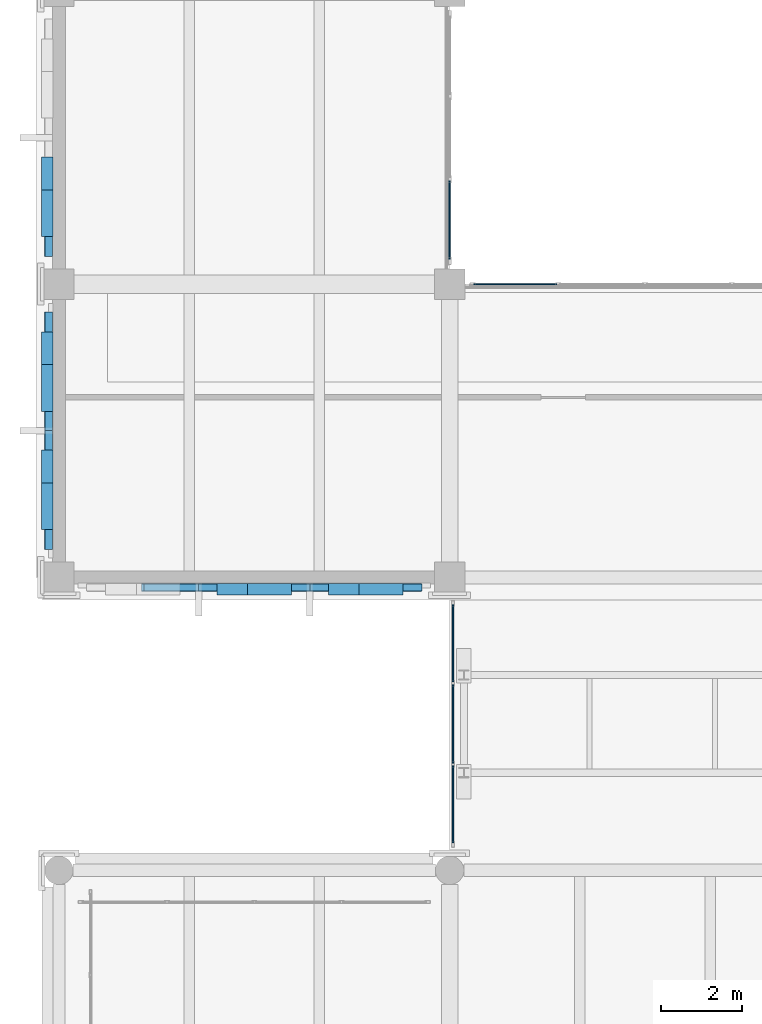
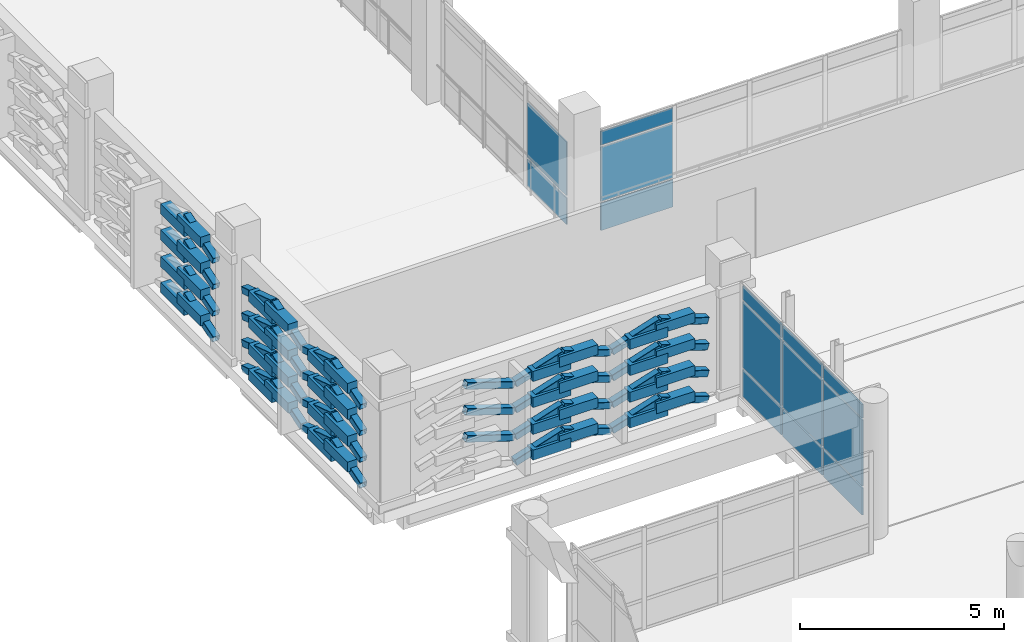
# One storey, part 129 of 180: 93 plates, 3 elements without a shape of their own.
"""IFC4 building model written with IfcOpenShell, lengths in metres."""

from ifc_helpers import new_model, si_unit, direction, frame, origin, origin_2d, place, context, subcontext, project, spatial, rectangle, hollow_rectangle, extrude, material, layer, layer_set, material_profile, profile_set, type_object, element, aggregate, save


model = new_model("IFC4")

# Units and contexts
model_context = context("Model", 3, precision=1e-05, world=origin(), true_north=direction((0.0, 1.0)))
body_context = subcontext(model_context, "Body", "Model", "MODEL_VIEW")
ifc_project = project(units=[si_unit("LENGTHUNIT", "METRE"), si_unit("AREAUNIT", "SQUARE_METRE"), si_unit("VOLUMEUNIT", "CUBIC_METRE"), si_unit("PLANEANGLEUNIT", "RADIAN"), si_unit("MASSUNIT", "GRAM", prefix="KILO")], contexts=[model_context])

# Site, building, storey
site_placement = place(None, origin())
site = spatial("IfcSite", under=ifc_project, at=site_placement, CompositionType="ELEMENT")
building_placement = place(site_placement, origin())
building = spatial("IfcBuilding", under=site, at=building_placement, Name="Asteropetra Specialist Clinic", CompositionType="ELEMENT")
storey_placement = place(building_placement, frame((0.0, 0.0, 4.419921875)))
storey = spatial("IfcBuildingStorey", under=building, at=storey_placement, Name="L01", CompositionType="ELEMENT", Elevation=4.419921875)

# Plates
ifc_material_1 = material(Name="Chevron emerald aluminium 6063-T6", Category="aluminium")
ifc_material_profile = material_profile(ifc_material_1, hollow_rectangle(XDim=0.199951171875, YDim=0.199951171875, WallThickness=0.010009765625, InnerFilletRadius=0.008056640625, OuterFilletRadius=0.01611328125, at=origin_2d()), Name="SHS 200x200x10.0")
ifc_profile_set = profile_set([ifc_material_profile], Name="Chevron emerald aluminium 6063-T6")
plate_type_1 = type_object("IfcPlateType", Name="CHV-RIB-200", PredefinedType="SHEET", material=ifc_profile_set)
for number, where, z_axis, x_axis, name in (
    (1, (2.063232421875, 69.347900390625, 1.25146484375), (0.95244216645, 0.0, -0.304719411211), (0.0, 1.0, 0.0), "Chevron Facade Screen Fin CVR-0366"),
    (2, (2.063232421875, 69.347900390625, 2.051513671875), (0.95244216645, 0.0, -0.304719411211), (0.0, 1.0, 0.0), "Chevron Facade Screen Fin CVR-0368"),
    (3, (2.063232421875, 69.347900390625, 2.83154296875), (0.95244216645, 0.0, -0.304719411211), (0.0, 1.0, 0.0), "Chevron Facade Screen Fin CVR-0370"),
    (4, (3.45166015625, 69.347900390625, 0.050048828125), (0.95244216645, 0.0, 0.304719411211), (0.0, 1.0, 0.0), "Chevron Facade Screen Fin CVR-0371"),
):
    element("IfcPlate", number, at=place(storey_placement, frame(where, z_axis=z_axis, x_axis=x_axis)), inside=storey, type_object=plate_type_1, Name=name, PredefinedType="SHEET", context=body_context, shape_type="SweptSolid", body=[
        extrude(hollow_rectangle(XDim=0.199951171875, YDim=0.199951171875, WallThickness=0.010009765625, InnerFilletRadius=0.008056640625, OuterFilletRadius=0.01611328125, at=origin_2d()), origin(), (0.0, 0.0, 1.0), 1.415771484375),
    ])
plate_1_placement = place(storey_placement, frame((4.800048828125, 69.347900390625, 0.4814453125), z_axis=(0.952426149832, 0.0, -0.304769468807), x_axis=(0.0, 1.0, 0.0)))
element("IfcPlate", 5, at=plate_1_placement, inside=storey, type_object=plate_type_1, Name="Chevron Facade Screen Fin CVR-0372", PredefinedType="SHEET", context=body_context, shape_type="SweptSolid", body=[
    extrude(hollow_rectangle(XDim=0.199951171875, YDim=0.199951171875, WallThickness=0.010009765625, InnerFilletRadius=0.008056640625, OuterFilletRadius=0.01611328125, at=origin_2d()), origin(), (0.0, 0.0, 1.0), 1.41552734375),
])
plate_2_placement = place(storey_placement, frame((3.45166015625, 69.347900390625, 0.820068359375), z_axis=(0.95244216645, 0.0, 0.304719411211), x_axis=(0.0, 1.0, 0.0)))
element("IfcPlate", 6, at=plate_2_placement, inside=storey, type_object=plate_type_1, Name="Chevron Facade Screen Fin CVR-0373", PredefinedType="SHEET", context=body_context, shape_type="SweptSolid", body=[
    extrude(hollow_rectangle(XDim=0.199951171875, YDim=0.199951171875, WallThickness=0.010009765625, InnerFilletRadius=0.008056640625, OuterFilletRadius=0.01611328125, at=origin_2d()), origin(), (0.0, 0.0, 1.0), 1.415771484375),
])
plate_3_placement = place(storey_placement, frame((4.800048828125, 69.347900390625, 1.25146484375), z_axis=(0.952426149832, 0.0, -0.304769468807), x_axis=(0.0, 1.0, 0.0)))
element("IfcPlate", 7, at=plate_3_placement, inside=storey, type_object=plate_type_1, Name="Chevron Facade Screen Fin CVR-0374", PredefinedType="SHEET", context=body_context, shape_type="SweptSolid", body=[
    extrude(hollow_rectangle(XDim=0.199951171875, YDim=0.199951171875, WallThickness=0.010009765625, InnerFilletRadius=0.008056640625, OuterFilletRadius=0.01611328125, at=origin_2d()), origin(), (0.0, 0.0, 1.0), 1.41552734375),
])
plate_4_placement = place(storey_placement, frame((3.45166015625, 69.347900390625, 1.6201171875), z_axis=(0.95244216645, 0.0, 0.304719411211), x_axis=(0.0, 1.0, 0.0)))
element("IfcPlate", 8, at=plate_4_placement, inside=storey, type_object=plate_type_1, Name="Chevron Facade Screen Fin CVR-0375", PredefinedType="SHEET", context=body_context, shape_type="SweptSolid", body=[
    extrude(hollow_rectangle(XDim=0.199951171875, YDim=0.199951171875, WallThickness=0.010009765625, InnerFilletRadius=0.008056640625, OuterFilletRadius=0.01611328125, at=origin_2d()), origin(), (0.0, 0.0, 1.0), 1.415771484375),
])
plate_5_placement = place(storey_placement, frame((4.800048828125, 69.347900390625, 2.051513671875), z_axis=(0.952426149832, 0.0, -0.304769468807), x_axis=(0.0, 1.0, 0.0)))
element("IfcPlate", 9, at=plate_5_placement, inside=storey, type_object=plate_type_1, Name="Chevron Facade Screen Fin CVR-0376", PredefinedType="SHEET", context=body_context, shape_type="SweptSolid", body=[
    extrude(hollow_rectangle(XDim=0.199951171875, YDim=0.199951171875, WallThickness=0.010009765625, InnerFilletRadius=0.008056640625, OuterFilletRadius=0.01611328125, at=origin_2d()), origin(), (0.0, 0.0, 1.0), 1.41552734375),
])
plate_6_placement = place(storey_placement, frame((3.45166015625, 69.347900390625, 2.400146484375), z_axis=(0.95244216645, 0.0, 0.304719411211), x_axis=(0.0, 1.0, 0.0)))
element("IfcPlate", 10, at=plate_6_placement, inside=storey, type_object=plate_type_1, Name="Chevron Facade Screen Fin CVR-0377", PredefinedType="SHEET", context=body_context, shape_type="SweptSolid", body=[
    extrude(hollow_rectangle(XDim=0.199951171875, YDim=0.199951171875, WallThickness=0.010009765625, InnerFilletRadius=0.008056640625, OuterFilletRadius=0.01611328125, at=origin_2d()), origin(), (0.0, 0.0, 1.0), 1.415771484375),
])
plate_7_placement = place(storey_placement, frame((4.800048828125, 69.347900390625, 2.83154296875), z_axis=(0.952426149832, 0.0, -0.304769468807), x_axis=(0.0, 1.0, 0.0)))
element("IfcPlate", 11, at=plate_7_placement, inside=storey, type_object=plate_type_1, Name="Chevron Facade Screen Fin CVR-0378", PredefinedType="SHEET", context=body_context, shape_type="SweptSolid", body=[
    extrude(hollow_rectangle(XDim=0.199951171875, YDim=0.199951171875, WallThickness=0.010009765625, InnerFilletRadius=0.008056640625, OuterFilletRadius=0.01611328125, at=origin_2d()), origin(), (0.0, 0.0, 1.0), 1.41552734375),
])
for number, where, z_axis, x_axis, name in (
    (12, (6.188232421875, 69.347900390625, 0.050048828125), (0.95244216645, 0.0, 0.304719411211), (0.0, 1.0, 0.0), "Chevron Facade Screen Fin CVR-0379"),
    (13, (7.53662109375, 69.347900390625, 0.4814453125), (0.95244216645, 0.0, -0.304719411211), (0.0, 1.0, 0.0), "Chevron Facade Screen Fin CVR-0380"),
    (14, (6.188232421875, 69.347900390625, 0.820068359375), (0.95244216645, 0.0, 0.304719411211), (0.0, 1.0, 0.0), "Chevron Facade Screen Fin CVR-0381"),
    (15, (7.53662109375, 69.347900390625, 1.25146484375), (0.95244216645, 0.0, -0.304719411211), (0.0, 1.0, 0.0), "Chevron Facade Screen Fin CVR-0382"),
    (16, (6.188232421875, 69.347900390625, 1.6201171875), (0.95244216645, 0.0, 0.304719411211), (0.0, 1.0, 0.0), "Chevron Facade Screen Fin CVR-0383"),
    (17, (7.53662109375, 69.347900390625, 2.051513671875), (0.95244216645, 0.0, -0.304719411211), (0.0, 1.0, 0.0), "Chevron Facade Screen Fin CVR-0384"),
    (18, (6.188232421875, 69.347900390625, 2.400146484375), (0.95244216645, 0.0, 0.304719411211), (0.0, 1.0, 0.0), "Chevron Facade Screen Fin CVR-0385"),
    (19, (7.53662109375, 69.347900390625, 2.83154296875), (0.95244216645, 0.0, -0.304719411211), (0.0, 1.0, 0.0), "Chevron Facade Screen Fin CVR-0386"),
):
    element("IfcPlate", number, at=place(storey_placement, frame(where, z_axis=z_axis, x_axis=x_axis)), inside=storey, type_object=plate_type_1, Name=name, PredefinedType="SHEET", context=body_context, shape_type="SweptSolid", body=[
        extrude(hollow_rectangle(XDim=0.199951171875, YDim=0.199951171875, WallThickness=0.010009765625, InnerFilletRadius=0.008056640625, OuterFilletRadius=0.01611328125, at=origin_2d()), origin(), (0.0, 0.0, 1.0), 1.415771484375),
    ])
plate_8_placement = place(storey_placement, frame((-0.251953125, 76.0849609375, 0.050048828125), z_axis=(0.0, -0.952491984317, 0.304563654777), x_axis=(1.0, 0.0, 0.0)))
element("IfcPlate", 20, at=plate_8_placement, inside=storey, type_object=plate_type_1, Name="Chevron Facade Screen Fin CVR-0667", PredefinedType="SHEET", context=body_context, shape_type="SweptSolid", body=[
    extrude(hollow_rectangle(XDim=0.199951171875, YDim=0.199951171875, WallThickness=0.010009765625, InnerFilletRadius=0.008056640625, OuterFilletRadius=0.01611328125, at=origin_2d()), origin(), (0.0, 0.0, 1.0), 1.50390625),
])
plate_9_placement = place(storey_placement, frame((-0.251953125, 74.652587890625, 0.508056640625), z_axis=(0.0, -0.952507040007, -0.304516565619), x_axis=(1.0, 0.0, 0.0)))
element("IfcPlate", 21, at=plate_9_placement, inside=storey, type_object=plate_type_1, Name="Chevron Facade Screen Fin CVR-0668", PredefinedType="SHEET", context=body_context, shape_type="SweptSolid", body=[
    extrude(hollow_rectangle(XDim=0.199951171875, YDim=0.199951171875, WallThickness=0.010009765625, InnerFilletRadius=0.008056640625, OuterFilletRadius=0.01611328125, at=origin_2d()), origin(), (0.0, 0.0, 1.0), 1.504150390625),
])
plate_10_placement = place(storey_placement, frame((-0.251953125, 76.0849609375, 0.820068359375), z_axis=(0.0, -0.952491984317, 0.304563654777), x_axis=(1.0, 0.0, 0.0)))
element("IfcPlate", 22, at=plate_10_placement, inside=storey, type_object=plate_type_1, Name="Chevron Facade Screen Fin CVR-0669", PredefinedType="SHEET", context=body_context, shape_type="SweptSolid", body=[
    extrude(hollow_rectangle(XDim=0.199951171875, YDim=0.199951171875, WallThickness=0.010009765625, InnerFilletRadius=0.008056640625, OuterFilletRadius=0.01611328125, at=origin_2d()), origin(), (0.0, 0.0, 1.0), 1.50390625),
])
plate_11_placement = place(storey_placement, frame((-0.251953125, 74.652587890625, 1.278076171875), z_axis=(0.0, -0.952507040007, -0.304516565619), x_axis=(1.0, 0.0, 0.0)))
element("IfcPlate", 23, at=plate_11_placement, inside=storey, type_object=plate_type_1, Name="Chevron Facade Screen Fin CVR-0670", PredefinedType="SHEET", context=body_context, shape_type="SweptSolid", body=[
    extrude(hollow_rectangle(XDim=0.199951171875, YDim=0.199951171875, WallThickness=0.010009765625, InnerFilletRadius=0.008056640625, OuterFilletRadius=0.01611328125, at=origin_2d()), origin(), (0.0, 0.0, 1.0), 1.504150390625),
])
plate_12_placement = place(storey_placement, frame((-0.251953125, 76.0849609375, 1.6201171875), z_axis=(0.0, -0.952491984317, 0.304563654777), x_axis=(1.0, 0.0, 0.0)))
element("IfcPlate", 24, at=plate_12_placement, inside=storey, type_object=plate_type_1, Name="Chevron Facade Screen Fin CVR-0671", PredefinedType="SHEET", context=body_context, shape_type="SweptSolid", body=[
    extrude(hollow_rectangle(XDim=0.199951171875, YDim=0.199951171875, WallThickness=0.010009765625, InnerFilletRadius=0.008056640625, OuterFilletRadius=0.01611328125, at=origin_2d()), origin(), (0.0, 0.0, 1.0), 1.50390625),
])
plate_13_placement = place(storey_placement, frame((-0.251953125, 74.652587890625, 2.078125), z_axis=(0.0, -0.952507040007, -0.304516565619), x_axis=(1.0, 0.0, 0.0)))
element("IfcPlate", 25, at=plate_13_placement, inside=storey, type_object=plate_type_1, Name="Chevron Facade Screen Fin CVR-0672", PredefinedType="SHEET", context=body_context, shape_type="SweptSolid", body=[
    extrude(hollow_rectangle(XDim=0.199951171875, YDim=0.199951171875, WallThickness=0.010009765625, InnerFilletRadius=0.008056640625, OuterFilletRadius=0.01611328125, at=origin_2d()), origin(), (0.0, 0.0, 1.0), 1.504150390625),
])
plate_14_placement = place(storey_placement, frame((-0.251953125, 76.0849609375, 2.400146484375), z_axis=(0.0, -0.952491984317, 0.304563654777), x_axis=(1.0, 0.0, 0.0)))
element("IfcPlate", 26, at=plate_14_placement, inside=storey, type_object=plate_type_1, Name="Chevron Facade Screen Fin CVR-0673", PredefinedType="SHEET", context=body_context, shape_type="SweptSolid", body=[
    extrude(hollow_rectangle(XDim=0.199951171875, YDim=0.199951171875, WallThickness=0.010009765625, InnerFilletRadius=0.008056640625, OuterFilletRadius=0.01611328125, at=origin_2d()), origin(), (0.0, 0.0, 1.0), 1.50390625),
])
plate_15_placement = place(storey_placement, frame((-0.251953125, 74.652587890625, 2.858154296875), z_axis=(0.0, -0.952507040007, -0.304516565619), x_axis=(1.0, 0.0, 0.0)))
element("IfcPlate", 27, at=plate_15_placement, inside=storey, type_object=plate_type_1, Name="Chevron Facade Screen Fin CVR-0674", PredefinedType="SHEET", context=body_context, shape_type="SweptSolid", body=[
    extrude(hollow_rectangle(XDim=0.199951171875, YDim=0.199951171875, WallThickness=0.010009765625, InnerFilletRadius=0.008056640625, OuterFilletRadius=0.01611328125, at=origin_2d()), origin(), (0.0, 0.0, 1.0), 1.504150390625),
])
plate_16_placement = place(storey_placement, frame((-0.251953125, 73.179931640625, 0.050048828125), z_axis=(0.0, -0.952491984317, 0.304563654777), x_axis=(1.0, 0.0, 0.0)))
element("IfcPlate", 28, at=plate_16_placement, inside=storey, type_object=plate_type_1, Name="Chevron Facade Screen Fin CVR-0675", PredefinedType="SHEET", context=body_context, shape_type="SweptSolid", body=[
    extrude(hollow_rectangle(XDim=0.199951171875, YDim=0.199951171875, WallThickness=0.010009765625, InnerFilletRadius=0.008056640625, OuterFilletRadius=0.01611328125, at=origin_2d()), origin(), (0.0, 0.0, 1.0), 1.50390625),
])
plate_17_placement = place(storey_placement, frame((-0.251953125, 71.74755859375, 0.508056640625), z_axis=(0.0, -0.952507040007, -0.304516565619), x_axis=(1.0, 0.0, 0.0)))
element("IfcPlate", 29, at=plate_17_placement, inside=storey, type_object=plate_type_1, Name="Chevron Facade Screen Fin CVR-0676", PredefinedType="SHEET", context=body_context, shape_type="SweptSolid", body=[
    extrude(hollow_rectangle(XDim=0.199951171875, YDim=0.199951171875, WallThickness=0.010009765625, InnerFilletRadius=0.008056640625, OuterFilletRadius=0.01611328125, at=origin_2d()), origin(), (0.0, 0.0, 1.0), 1.504150390625),
])
plate_18_placement = place(storey_placement, frame((-0.251953125, 73.179931640625, 0.820068359375), z_axis=(0.0, -0.952491984317, 0.304563654777), x_axis=(1.0, 0.0, 0.0)))
element("IfcPlate", 30, at=plate_18_placement, inside=storey, type_object=plate_type_1, Name="Chevron Facade Screen Fin CVR-0677", PredefinedType="SHEET", context=body_context, shape_type="SweptSolid", body=[
    extrude(hollow_rectangle(XDim=0.199951171875, YDim=0.199951171875, WallThickness=0.010009765625, InnerFilletRadius=0.008056640625, OuterFilletRadius=0.01611328125, at=origin_2d()), origin(), (0.0, 0.0, 1.0), 1.50390625),
])
plate_19_placement = place(storey_placement, frame((-0.251953125, 71.74755859375, 1.278076171875), z_axis=(0.0, -0.952507040007, -0.304516565619), x_axis=(1.0, 0.0, 0.0)))
element("IfcPlate", 31, at=plate_19_placement, inside=storey, type_object=plate_type_1, Name="Chevron Facade Screen Fin CVR-0678", PredefinedType="SHEET", context=body_context, shape_type="SweptSolid", body=[
    extrude(hollow_rectangle(XDim=0.199951171875, YDim=0.199951171875, WallThickness=0.010009765625, InnerFilletRadius=0.008056640625, OuterFilletRadius=0.01611328125, at=origin_2d()), origin(), (0.0, 0.0, 1.0), 1.504150390625),
])
plate_20_placement = place(storey_placement, frame((-0.251953125, 73.179931640625, 1.6201171875), z_axis=(0.0, -0.952491984317, 0.304563654777), x_axis=(1.0, 0.0, 0.0)))
element("IfcPlate", 32, at=plate_20_placement, inside=storey, type_object=plate_type_1, Name="Chevron Facade Screen Fin CVR-0679", PredefinedType="SHEET", context=body_context, shape_type="SweptSolid", body=[
    extrude(hollow_rectangle(XDim=0.199951171875, YDim=0.199951171875, WallThickness=0.010009765625, InnerFilletRadius=0.008056640625, OuterFilletRadius=0.01611328125, at=origin_2d()), origin(), (0.0, 0.0, 1.0), 1.50390625),
])
plate_21_placement = place(storey_placement, frame((-0.251953125, 71.74755859375, 2.078125), z_axis=(0.0, -0.952507040007, -0.304516565619), x_axis=(1.0, 0.0, 0.0)))
element("IfcPlate", 33, at=plate_21_placement, inside=storey, type_object=plate_type_1, Name="Chevron Facade Screen Fin CVR-0680", PredefinedType="SHEET", context=body_context, shape_type="SweptSolid", body=[
    extrude(hollow_rectangle(XDim=0.199951171875, YDim=0.199951171875, WallThickness=0.010009765625, InnerFilletRadius=0.008056640625, OuterFilletRadius=0.01611328125, at=origin_2d()), origin(), (0.0, 0.0, 1.0), 1.504150390625),
])
plate_22_placement = place(storey_placement, frame((-0.251953125, 73.179931640625, 2.400146484375), z_axis=(0.0, -0.952491984317, 0.304563654777), x_axis=(1.0, 0.0, 0.0)))
element("IfcPlate", 34, at=plate_22_placement, inside=storey, type_object=plate_type_1, Name="Chevron Facade Screen Fin CVR-0681", PredefinedType="SHEET", context=body_context, shape_type="SweptSolid", body=[
    extrude(hollow_rectangle(XDim=0.199951171875, YDim=0.199951171875, WallThickness=0.010009765625, InnerFilletRadius=0.008056640625, OuterFilletRadius=0.01611328125, at=origin_2d()), origin(), (0.0, 0.0, 1.0), 1.50390625),
])
for number, where, z_axis, x_axis, name in (
    (35, (-0.251953125, 71.74755859375, 2.858154296875), (0.0, -0.952507040007, -0.304516565619), (1.0, 0.0, 0.0), "Chevron Facade Screen Fin CVR-0682"),
    (36, (-0.251953125, 78.947509765625, 0.508056640625), (0.0, -0.952507040007, -0.304516565619), (1.0, 0.0, 0.0), "Chevron Facade Screen Fin CVR-0708"),
    (37, (-0.251953125, 78.947509765625, 1.278076171875), (0.0, -0.952507040007, -0.304516565619), (1.0, 0.0, 0.0), "Chevron Facade Screen Fin CVR-0710"),
    (38, (-0.251953125, 78.947509765625, 2.078125), (0.0, -0.952507040007, -0.304516565619), (1.0, 0.0, 0.0), "Chevron Facade Screen Fin CVR-0712"),
    (39, (-0.251953125, 78.947509765625, 2.858154296875), (0.0, -0.952507040007, -0.304516565619), (1.0, 0.0, 0.0), "Chevron Facade Screen Fin CVR-0714"),
):
    element("IfcPlate", number, at=place(storey_placement, frame(where, z_axis=z_axis, x_axis=x_axis)), inside=storey, type_object=plate_type_1, Name=name, PredefinedType="SHEET", context=body_context, shape_type="SweptSolid", body=[
        extrude(hollow_rectangle(XDim=0.199951171875, YDim=0.199951171875, WallThickness=0.010009765625, InnerFilletRadius=0.008056640625, OuterFilletRadius=0.01611328125, at=origin_2d()), origin(), (0.0, 0.0, 1.0), 1.504150390625),
    ])

# Curtain wall, plates
ifc_material_2 = material(Name="Aluminium and low-E glass", Category="aluminium")
ifc_layer_1 = layer(ifc_material_2, 0.14990234375)
ifc_layer_set_1 = layer_set([ifc_layer_1], Name="Aluminium and low-E glass")
curtain_wall_type_1 = type_object("IfcCurtainWallType", Name="CW-SYS-02", PredefinedType="USERDEFINED", material=ifc_layer_set_1)
curtain_wall_1_placement = place(storey_placement, origin())
curtain_wall_1 = element("IfcCurtainWall", 40, at=curtain_wall_1_placement, inside=storey, type_object=curtain_wall_type_1, Name="Curtain Wall CW-017", ObjectType="UNITISED CURTAIN WALL", PredefinedType="USERDEFINED")
ifc_material_3 = material(Name="Low-E acoustic double glazing", Category="glass")
ifc_layer_2 = layer(ifc_material_3, 0.031982421875)
ifc_layer_set_2 = layer_set([ifc_layer_2], Name="Low-E acoustic double glazing")
plate_type_2 = type_object("IfcPlateType", Name="CWP-GLZ-32", PredefinedType="CURTAIN_PANEL", material=ifc_layer_set_2)
plate_23_placement = place(storey_placement, frame((11.21630859375, 76.800048828125, 0.06005859375), z_axis=(0.0, 0.0, 1.0), x_axis=(1.0, 0.0, 0.0)))
plate_23 = element("IfcPlate", 41, at=plate_23_placement, type_object=plate_type_2, Name="CW-017 panel 1.1", PredefinedType="CURTAIN_PANEL", context=body_context, shape_type="SweptSolid", body=[
    extrude(rectangle(XDim=2.04248046875, YDim=0.031982421875, at=origin_2d()), origin(), (0.0, 0.0, 1.0), 0.81005859375),
])
plate_24_placement = place(storey_placement, frame((11.21630859375, 76.800048828125, 0.929931640625), z_axis=(0.0, 0.0, 1.0), x_axis=(1.0, 0.0, 0.0)))
plate_24 = element("IfcPlate", 42, at=plate_24_placement, type_object=plate_type_2, Name="CW-017 panel 1.2", PredefinedType="CURTAIN_PANEL", context=body_context, shape_type="SweptSolid", body=[
    extrude(rectangle(XDim=2.04248046875, YDim=0.031982421875, at=origin_2d()), origin(), (0.0, 0.0, 1.0), 1.6201171875),
])
plate_25_placement = place(storey_placement, frame((11.21630859375, 76.800048828125, 2.6103515625), z_axis=(0.0, 0.0, 1.0), x_axis=(1.0, 0.0, 0.0)))
plate_25 = element("IfcPlate", 43, at=plate_25_placement, type_object=plate_type_2, Name="CW-017 panel 1.3", PredefinedType="CURTAIN_PANEL", context=body_context, shape_type="SweptSolid", body=[
    extrude(rectangle(XDim=2.04248046875, YDim=0.031982421875, at=origin_2d()), origin(), (0.0, 0.0, 1.0), 0.409912109375),
])
aggregate(curtain_wall_1, [plate_23, plate_24, plate_25])

ifc_material_4 = material(Name="Aluminium and low-E glass", Category="aluminium")
ifc_layer_3 = layer(ifc_material_4, 0.179931640625)
ifc_layer_set_3 = layer_set([ifc_layer_3], Name="Aluminium and low-E glass")
curtain_wall_type_2 = type_object("IfcCurtainWallType", Name="CW-SYS-04", PredefinedType="USERDEFINED", material=ifc_layer_set_3)
curtain_wall_2_placement = place(storey_placement, origin())
curtain_wall_2 = element("IfcCurtainWall", 44, at=curtain_wall_2_placement, inside=storey, type_object=curtain_wall_type_2, Name="Curtain Wall CW-021", ObjectType="UNITISED CURTAIN WALL", PredefinedType="USERDEFINED")
plate_26_placement = place(storey_placement, frame((9.60009765625, 78.37548828125, 0.074951171875), z_axis=(0.0, 0.0, 1.0), x_axis=(0.0, -1.0, 0.0)))
plate_26 = element("IfcPlate", 45, at=plate_26_placement, type_object=plate_type_2, Name="CW-021 panel 3.1", PredefinedType="CURTAIN_PANEL", context=body_context, shape_type="SweptSolid", body=[
    extrude(rectangle(XDim=1.930908203125, YDim=0.031982421875, at=origin_2d()), origin(), (0.0, 0.0, 1.0), 0.78759765625),
])
plate_27_placement = place(storey_placement, frame((9.60009765625, 78.37548828125, 0.9375), z_axis=(0.0, 0.0, 1.0), x_axis=(0.0, -1.0, 0.0)))
plate_27 = element("IfcPlate", 46, at=plate_27_placement, type_object=plate_type_2, Name="CW-021 panel 3.2", PredefinedType="CURTAIN_PANEL", context=body_context, shape_type="SweptSolid", body=[
    extrude(rectangle(XDim=1.930908203125, YDim=0.031982421875, at=origin_2d()), origin(), (0.0, 0.0, 1.0), 1.60498046875),
])
aggregate(curtain_wall_2, [plate_26, plate_27])

ifc_material_5 = material(Name="Aluminium and low-E glass", Category="aluminium")
ifc_layer_4 = layer(ifc_material_5, 0.14990234375)
ifc_layer_set_4 = layer_set([ifc_layer_4], Name="Aluminium and low-E glass")
curtain_wall_type_3 = type_object("IfcCurtainWallType", Name="CW-SYS-08", PredefinedType="USERDEFINED", material=ifc_layer_set_4)
curtain_wall_3_placement = place(storey_placement, origin())
curtain_wall_3 = element("IfcCurtainWall", 47, at=curtain_wall_3_placement, inside=storey, type_object=curtain_wall_type_3, Name="Curtain Wall CW-103", ObjectType="STICK GLAZED COLONNADE", PredefinedType="USERDEFINED")
ifc_material_6 = material(Name="Laminated skylight glazing", Category="glass")
ifc_layer_5 = layer(ifc_material_6, 0.0400390625)
ifc_layer_set_5 = layer_set([ifc_layer_5], Name="Laminated skylight glazing")
plate_type_3 = type_object("IfcPlateType", Name="CWP-GLZ-40", PredefinedType="CURTAIN_PANEL", material=ifc_layer_set_5)
plate_28_placement = place(storey_placement, frame((9.679931640625, 64.02294921875, 0.06494140625), z_axis=(0.0, 0.0, 1.0), x_axis=(0.0, 1.0, 0.0)))
plate_28 = element("IfcPlate", 48, at=plate_28_placement, type_object=plate_type_3, Name="CW-103 panel 1.1", PredefinedType="CURTAIN_PANEL", context=body_context, shape_type="SweptSolid", body=[
    extrude(rectangle(XDim=1.895751953125, YDim=0.0400390625, at=origin_2d()), origin(), (0.0, 0.0, 1.0), 0.802490234375),
])
plate_29_placement = place(storey_placement, frame((9.679931640625, 64.02294921875, 0.9326171875), z_axis=(0.0, 0.0, 1.0), x_axis=(0.0, 1.0, 0.0)))
plate_29 = element("IfcPlate", 49, at=plate_29_placement, type_object=plate_type_3, Name="CW-103 panel 1.2", PredefinedType="CURTAIN_PANEL", context=body_context, shape_type="SweptSolid", body=[
    extrude(rectangle(XDim=1.895751953125, YDim=0.0400390625, at=origin_2d()), origin(), (0.0, 0.0, 1.0), 1.965087890625),
])
plate_30_placement = place(storey_placement, frame((9.679931640625, 64.02294921875, 2.96240234375), z_axis=(0.0, 0.0, 1.0), x_axis=(0.0, 1.0, 0.0)))
plate_30 = element("IfcPlate", 50, at=plate_30_placement, type_object=plate_type_3, Name="CW-103 panel 1.3", PredefinedType="CURTAIN_PANEL", context=body_context, shape_type="SweptSolid", body=[
    extrude(rectangle(XDim=1.895751953125, YDim=0.0400390625, at=origin_2d()), origin(), (0.0, 0.0, 1.0), 0.402587890625),
])
plate_31_placement = place(storey_placement, frame((9.679931640625, 66.0, 0.06494140625), z_axis=(0.0, 0.0, 1.0), x_axis=(0.0, 1.0, 0.0)))
plate_31 = element("IfcPlate", 51, at=plate_31_placement, type_object=plate_type_3, Name="CW-103 panel 2.1", PredefinedType="CURTAIN_PANEL", context=body_context, shape_type="SweptSolid", body=[
    extrude(rectangle(XDim=1.92822265625, YDim=0.0400390625, at=origin_2d()), origin(), (0.0, 0.0, 1.0), 0.802490234375),
])
plate_32_placement = place(storey_placement, frame((9.679931640625, 66.0, 0.9326171875), z_axis=(0.0, 0.0, 1.0), x_axis=(0.0, 1.0, 0.0)))
plate_32 = element("IfcPlate", 52, at=plate_32_placement, type_object=plate_type_3, Name="CW-103 panel 2.2", PredefinedType="CURTAIN_PANEL", context=body_context, shape_type="SweptSolid", body=[
    extrude(rectangle(XDim=1.92822265625, YDim=0.0400390625, at=origin_2d()), origin(), (0.0, 0.0, 1.0), 1.965087890625),
])
plate_33_placement = place(storey_placement, frame((9.679931640625, 66.0, 2.96240234375), z_axis=(0.0, 0.0, 1.0), x_axis=(0.0, 1.0, 0.0)))
plate_33 = element("IfcPlate", 53, at=plate_33_placement, type_object=plate_type_3, Name="CW-103 panel 2.3", PredefinedType="CURTAIN_PANEL", context=body_context, shape_type="SweptSolid", body=[
    extrude(rectangle(XDim=1.92822265625, YDim=0.0400390625, at=origin_2d()), origin(), (0.0, 0.0, 1.0), 0.402587890625),
])
plate_34_placement = place(storey_placement, frame((9.679931640625, 67.97705078125, 0.06494140625), z_axis=(0.0, 0.0, 1.0), x_axis=(0.0, 1.0, 0.0)))
plate_34 = element("IfcPlate", 54, at=plate_34_placement, type_object=plate_type_3, Name="CW-103 panel 3.1", PredefinedType="CURTAIN_PANEL", context=body_context, shape_type="SweptSolid", body=[
    extrude(rectangle(XDim=1.895751953125, YDim=0.0400390625, at=origin_2d()), origin(), (0.0, 0.0, 1.0), 0.802490234375),
])
plate_35_placement = place(storey_placement, frame((9.679931640625, 67.97705078125, 0.9326171875), z_axis=(0.0, 0.0, 1.0), x_axis=(0.0, 1.0, 0.0)))
plate_35 = element("IfcPlate", 55, at=plate_35_placement, type_object=plate_type_3, Name="CW-103 panel 3.2", PredefinedType="CURTAIN_PANEL", context=body_context, shape_type="SweptSolid", body=[
    extrude(rectangle(XDim=1.895751953125, YDim=0.0400390625, at=origin_2d()), origin(), (0.0, 0.0, 1.0), 1.965087890625),
])
plate_36_placement = place(storey_placement, frame((9.679931640625, 67.97705078125, 2.96240234375), z_axis=(0.0, 0.0, 1.0), x_axis=(0.0, 1.0, 0.0)))
plate_36 = element("IfcPlate", 56, at=plate_36_placement, type_object=plate_type_3, Name="CW-103 panel 3.3", PredefinedType="CURTAIN_PANEL", context=body_context, shape_type="SweptSolid", body=[
    extrude(rectangle(XDim=1.895751953125, YDim=0.0400390625, at=origin_2d()), origin(), (0.0, 0.0, 1.0), 0.402587890625),
])
aggregate(curtain_wall_3, [plate_28, plate_29, plate_30, plate_31, plate_32, plate_33, plate_34, plate_35, plate_36])

# Plates
ifc_material_7 = material(Name="Aluminium 6063-T6", Category="aluminium")
ifc_layer_6 = layer(ifc_material_7, 0.139892578125)
ifc_layer_set_6 = layer_set([ifc_layer_6], Name="Aluminium 6063-T6")
plate_type_4 = type_object("IfcPlateType", Name="PLT-CHV-TILE", PredefinedType="SHEET", material=ifc_layer_set_6)
for number, where, z_axis, x_axis, name in (
    (57, (4.422607421875, 69.31005859375, 0.029296875), (0.0, 0.0, 1.0), (1.0, 0.0, 0.0), "Chevron Ceramic Panel CPT-0009"),
    (58, (5.177490234375, 69.31005859375, 0.193359375), (0.0, 0.0, 1.0), (1.0, 0.0, 0.0), "Chevron Ceramic Panel CPT-0010"),
    (59, (4.422607421875, 69.31005859375, 0.79931640625), (0.0, 0.0, 1.0), (1.0, 0.0, 0.0), "Chevron Ceramic Panel CPT-0011"),
    (60, (5.177490234375, 69.31005859375, 0.96337890625), (0.0, 0.0, 1.0), (1.0, 0.0, 0.0), "Chevron Ceramic Panel CPT-0012"),
    (61, (4.422607421875, 69.31005859375, 1.599609375), (0.0, 0.0, 1.0), (1.0, 0.0, 0.0), "Chevron Ceramic Panel CPT-0013"),
    (62, (5.177490234375, 69.31005859375, 1.763671875), (0.0, 0.0, 1.0), (1.0, 0.0, 0.0), "Chevron Ceramic Panel CPT-0014"),
    (63, (4.422607421875, 69.31005859375, 2.37939453125), (0.0, 0.0, 1.0), (1.0, 0.0, 0.0), "Chevron Ceramic Panel CPT-0015"),
    (64, (5.177490234375, 69.31005859375, 2.54345703125), (0.0, 0.0, 1.0), (1.0, 0.0, 0.0), "Chevron Ceramic Panel CPT-0016"),
    (65, (7.1591796875, 69.31005859375, 0.029296875), (0.0, 0.0, 1.0), (1.0, 0.0, 0.0), "Chevron Ceramic Panel CPT-0017"),
    (66, (7.914306640625, 69.31005859375, 0.193359375), (0.0, 0.0, 1.0), (1.0, 0.0, 0.0), "Chevron Ceramic Panel CPT-0018"),
    (67, (7.1591796875, 69.31005859375, 0.79931640625), (0.0, 0.0, 1.0), (1.0, 0.0, 0.0), "Chevron Ceramic Panel CPT-0019"),
    (68, (7.914306640625, 69.31005859375, 0.96337890625), (0.0, 0.0, 1.0), (1.0, 0.0, 0.0), "Chevron Ceramic Panel CPT-0020"),
    (69, (7.1591796875, 69.31005859375, 1.599609375), (0.0, 0.0, 1.0), (1.0, 0.0, 0.0), "Chevron Ceramic Panel CPT-0021"),
    (70, (7.914306640625, 69.31005859375, 1.763671875), (0.0, 0.0, 1.0), (1.0, 0.0, 0.0), "Chevron Ceramic Panel CPT-0022"),
    (71, (7.1591796875, 69.31005859375, 2.37939453125), (0.0, 0.0, 1.0), (1.0, 0.0, 0.0), "Chevron Ceramic Panel CPT-0023"),
    (72, (7.914306640625, 69.31005859375, 2.54345703125), (0.0, 0.0, 1.0), (1.0, 0.0, 0.0), "Chevron Ceramic Panel CPT-0024"),
):
    element("IfcPlate", number, at=place(storey_placement, frame(where, z_axis=z_axis, x_axis=x_axis)), inside=storey, type_object=plate_type_4, Name=name, PredefinedType="SHEET", context=body_context, shape_type="SweptSolid", body=[
        extrude(rectangle(XDim=1.0791015625, YDim=0.280029296875, at=origin_2d()), origin(), (0.0, 0.0, 1.0), 0.300048828125),
    ])
for number, where, z_axis, x_axis, name in (
    (73, (-0.2900390625, 75.0537109375, 0.03759765625), (0.0, 0.0, 1.0), (1.0, 0.0, 0.0), "Chevron Ceramic Panel CPT-0305"),
    (74, (-0.2900390625, 74.25146484375, 0.21142578125), (0.0, 0.0, 1.0), (1.0, 0.0, 0.0), "Chevron Ceramic Panel CPT-0306"),
    (75, (-0.2900390625, 75.0537109375, 0.8076171875), (0.0, 0.0, 1.0), (1.0, 0.0, 0.0), "Chevron Ceramic Panel CPT-0307"),
    (76, (-0.2900390625, 74.25146484375, 0.9814453125), (0.0, 0.0, 1.0), (1.0, 0.0, 0.0), "Chevron Ceramic Panel CPT-0308"),
    (77, (-0.2900390625, 75.0537109375, 1.607421875), (0.0, 0.0, 1.0), (1.0, 0.0, 0.0), "Chevron Ceramic Panel CPT-0309"),
    (78, (-0.2900390625, 74.25146484375, 1.78125), (0.0, 0.0, 1.0), (1.0, 0.0, 0.0), "Chevron Ceramic Panel CPT-0310"),
    (79, (-0.2900390625, 75.0537109375, 2.3876953125), (0.0, 0.0, 1.0), (1.0, 0.0, 0.0), "Chevron Ceramic Panel CPT-0311"),
    (80, (-0.2900390625, 74.25146484375, 2.5615234375), (0.0, 0.0, 1.0), (1.0, 0.0, 0.0), "Chevron Ceramic Panel CPT-0312"),
    (81, (-0.2900390625, 72.148681640625, 0.03759765625), (0.0, 0.0, 1.0), (1.0, 0.0, 0.0), "Chevron Ceramic Panel CPT-0313"),
    (82, (-0.2900390625, 71.346435546875, 0.21142578125), (0.0, 0.0, 1.0), (1.0, 0.0, 0.0), "Chevron Ceramic Panel CPT-0314"),
    (83, (-0.2900390625, 72.148681640625, 0.8076171875), (0.0, 0.0, 1.0), (1.0, 0.0, 0.0), "Chevron Ceramic Panel CPT-0315"),
    (84, (-0.2900390625, 71.346435546875, 0.9814453125), (0.0, 0.0, 1.0), (1.0, 0.0, 0.0), "Chevron Ceramic Panel CPT-0316"),
    (85, (-0.2900390625, 72.148681640625, 1.607421875), (0.0, 0.0, 1.0), (1.0, 0.0, 0.0), "Chevron Ceramic Panel CPT-0317"),
    (86, (-0.2900390625, 71.346435546875, 1.78125), (0.0, 0.0, 1.0), (1.0, 0.0, 0.0), "Chevron Ceramic Panel CPT-0318"),
    (87, (-0.2900390625, 72.148681640625, 2.3876953125), (0.0, 0.0, 1.0), (1.0, 0.0, 0.0), "Chevron Ceramic Panel CPT-0319"),
    (88, (-0.2900390625, 71.346435546875, 2.5615234375), (0.0, 0.0, 1.0), (1.0, 0.0, 0.0), "Chevron Ceramic Panel CPT-0320"),
    (89, (-0.2900390625, 79.3486328125, 0.03759765625), (0.0, 0.0, 1.0), (1.0, 0.0, 0.0), "Chevron Ceramic Panel CPT-0345"),
    (90, (-0.2900390625, 78.54638671875, 0.21142578125), (0.0, 0.0, 1.0), (1.0, 0.0, 0.0), "Chevron Ceramic Panel CPT-0346"),
    (91, (-0.2900390625, 79.3486328125, 0.8076171875), (0.0, 0.0, 1.0), (1.0, 0.0, 0.0), "Chevron Ceramic Panel CPT-0347"),
    (92, (-0.2900390625, 78.54638671875, 0.9814453125), (0.0, 0.0, 1.0), (1.0, 0.0, 0.0), "Chevron Ceramic Panel CPT-0348"),
    (93, (-0.2900390625, 79.3486328125, 1.607421875), (0.0, 0.0, 1.0), (1.0, 0.0, 0.0), "Chevron Ceramic Panel CPT-0349"),
    (94, (-0.2900390625, 78.54638671875, 1.78125), (0.0, 0.0, 1.0), (1.0, 0.0, 0.0), "Chevron Ceramic Panel CPT-0350"),
    (95, (-0.2900390625, 79.3486328125, 2.3876953125), (0.0, 0.0, 1.0), (1.0, 0.0, 0.0), "Chevron Ceramic Panel CPT-0351"),
    (96, (-0.2900390625, 78.54638671875, 2.5615234375), (0.0, 0.0, 1.0), (1.0, 0.0, 0.0), "Chevron Ceramic Panel CPT-0352"),
):
    element("IfcPlate", number, at=place(storey_placement, frame(where, z_axis=z_axis, x_axis=x_axis)), inside=storey, type_object=plate_type_4, Name=name, PredefinedType="SHEET", context=body_context, shape_type="SweptSolid", body=[
        extrude(rectangle(XDim=0.280029296875, YDim=1.14599609375, at=origin_2d()), origin(), (0.0, 0.0, 1.0), 0.300048828125),
    ])

save(model, "model.ifc")
